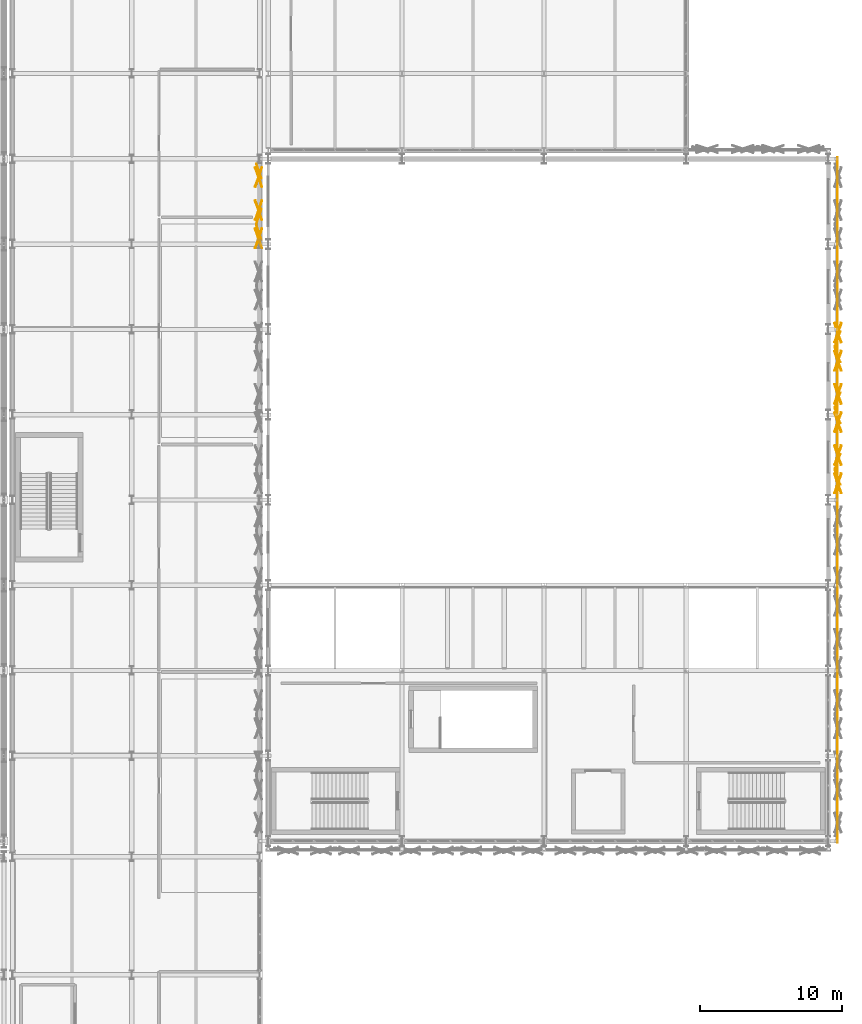
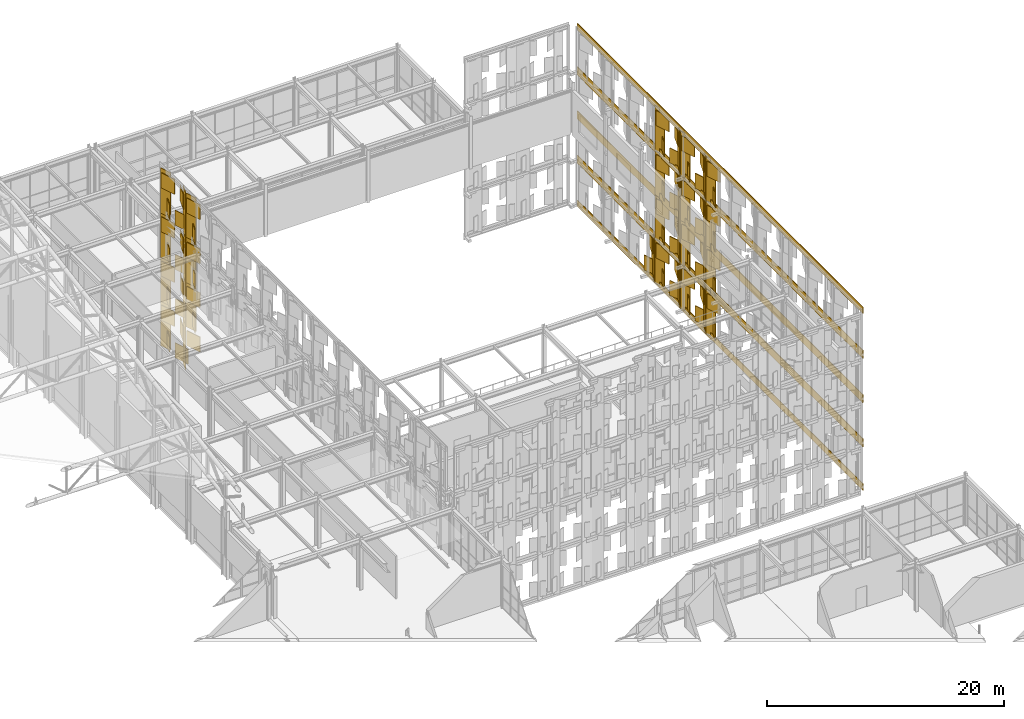
# One storey, part 237 of 239: 102 coverings.
"""IFC4 building model written with IfcOpenShell, lengths in metres."""

from ifc_helpers import new_model, si_unit, direction, frame, origin, origin_2d, place, context, subcontext, project, spatial, rectangle, extrude, material, layer, layer_set, type_object, element, save


model = new_model("IFC4")

# Units and contexts
model_context = context("Model", 3, precision=1e-05, world=origin(), true_north=direction((0.0, 1.0)))
body_context = subcontext(model_context, "Body", "Model", "MODEL_VIEW")
ifc_project = project(units=[si_unit("LENGTHUNIT", "METRE"), si_unit("AREAUNIT", "SQUARE_METRE"), si_unit("VOLUMEUNIT", "CUBIC_METRE"), si_unit("PLANEANGLEUNIT", "RADIAN"), si_unit("MASSUNIT", "GRAM", prefix="KILO")], contexts=[model_context])

# Site, building, storey
site_placement = place(None, origin())
site = spatial("IfcSite", under=ifc_project, at=site_placement, CompositionType="ELEMENT")
building_placement = place(site_placement, origin())
building = spatial("IfcBuilding", under=site, at=building_placement, Name="Kaldris Quays Convention Centre", CompositionType="ELEMENT")
storey_placement = place(building_placement, frame((0.0, 0.0, 11.39990234375)))
storey = spatial("IfcBuildingStorey", under=building, at=storey_placement, Name="L02", CompositionType="ELEMENT", Elevation=11.39990234375)

# Coverings
ifc_material = material(Name="Alabaster white star-pierced anodized aluminium panel", Category="aluminium")
ifc_layer = layer(ifc_material, 0.044921875)
ifc_layer_set = layer_set([ifc_layer], Name="Alabaster white star-pierced anodized aluminium panel")
covering_type = type_object("IfcCoveringType", Name="STAR PIERCED WHITE FOLDED SCREEN CL01", PredefinedType="CLADDING", material=ifc_layer_set)
covering_1_placement = place(storey_placement, frame((204.64990234375, 80.0, -7.8896484375), z_axis=(0.0, 0.0, 1.0), x_axis=(0.0, 1.0, 0.0)))
element("IfcCovering", 1, at=covering_1_placement, inside=storey, type_object=covering_type, Name="V2E White Screen Folded Band 1867", PredefinedType="CLADDING", context=body_context, shape_type="SweptSolid", body=[
    extrude(rectangle(XDim=48.239990234375, YDim=0.054931640625, at=origin_2d()), origin(), (0.0, 0.0, 1.0), 0.679931640625),
])
for number, where, z_axis, x_axis, name in (
    (2, (204.64990234375, 80.0, -3.419921875), (0.0, 0.0, 1.0), (0.0, 1.0, 0.0), "V2E White Screen Folded Band 1868"),
    (3, (204.64990234375, 80.0, 1.1298828125), (0.0, 0.0, 1.0), (0.0, 1.0, 0.0), "V2E White Screen Folded Band 1869"),
    (4, (204.64990234375, 80.0, 5.68017578125), (0.0, 0.0, 1.0), (0.0, 1.0, 0.0), "V2E White Screen Folded Band 1870"),
):
    element("IfcCovering", number, at=place(storey_placement, frame(where, z_axis=z_axis, x_axis=x_axis)), inside=storey, type_object=covering_type, Name=name, PredefinedType="CLADDING", context=body_context, shape_type="SweptSolid", body=[
        extrude(rectangle(XDim=48.239990234375, YDim=0.054931640625, at=origin_2d()), origin(), (0.0, 0.0, 1.0), 0.840087890625),
    ])
covering_2_placement = place(storey_placement, frame((204.64990234375, 80.0, 10.31005859375), z_axis=(0.0, 0.0, 1.0), x_axis=(0.0, 1.0, 0.0)))
element("IfcCovering", 5, at=covering_2_placement, inside=storey, type_object=covering_type, Name="V2E White Screen Folded Band 1871", PredefinedType="CLADDING", context=body_context, shape_type="SweptSolid", body=[
    extrude(rectangle(XDim=48.239990234375, YDim=0.054931640625, at=origin_2d()), origin(), (0.0, 0.0, 1.0), 0.679931640625),
])
covering_3_placement = place(storey_placement, frame((204.659912109375, 81.594482421875, -7.60986328125), z_axis=(0.0, 0.0, 1.0), x_axis=(-0.325568154457, 0.945518575599, 0.0)))
element("IfcCovering", 6, at=covering_3_placement, inside=storey, type_object=covering_type, Name="V2E Folded White Screen Stile 1993", PredefinedType="CLADDING", context=body_context, shape_type="SweptSolid", body=[
    extrude(rectangle(XDim=1.093994140625, YDim=0.054931640625, at=origin_2d()), origin(), (0.0, 0.0, 1.0), 4.669921875),
])
for number, where, z_axis, x_axis, name in (
    (7, (204.679931640625, 81.16357421875, -7.27685546875), (0.0, 0.0, 1.0), (0.325568154457, 0.945518575599, 0.0), "V2E Carved Star Corner Facet 1996"),
    (8, (204.679931640625, 81.16357421875, -4.81982421875), (0.0, 0.0, 1.0), (-0.325568154457, 0.945518575599, 0.0), "V2E Carved Star Corner Facet 1997"),
):
    element("IfcCovering", number, at=place(storey_placement, frame(where, z_axis=z_axis, x_axis=x_axis)), inside=storey, type_object=covering_type, Name=name, PredefinedType="CLADDING", context=body_context, shape_type="SweptSolid", body=[
        extrude(rectangle(XDim=1.465087890625, YDim=0.06494140625, at=origin_2d()), origin(), (0.0, 0.0, 1.0), 1.547119140625),
    ])
covering_4_placement = place(storey_placement, frame((204.659912109375, 81.594482421875, -3.059814453125), z_axis=(0.0, 0.0, 1.0), x_axis=(-0.325568154457, 0.945518575599, 0.0)))
element("IfcCovering", 9, at=covering_4_placement, inside=storey, type_object=covering_type, Name="V2E Folded White Screen Stile 1999", PredefinedType="CLADDING", context=body_context, shape_type="SweptSolid", body=[
    extrude(rectangle(XDim=1.093994140625, YDim=0.054931640625, at=origin_2d()), origin(), (0.0, 0.0, 1.0), 4.669921875),
])
for number, where, z_axis, x_axis, name in (
    (10, (204.679931640625, 81.16357421875, -2.72705078125), (0.0, 0.0, 1.0), (0.325568154457, 0.945518575599, 0.0), "V2E Carved Star Corner Facet 2002"),
    (11, (204.679931640625, 81.16357421875, -0.27001953125), (0.0, 0.0, 1.0), (-0.325568154457, 0.945518575599, 0.0), "V2E Carved Star Corner Facet 2003"),
):
    element("IfcCovering", number, at=place(storey_placement, frame(where, z_axis=z_axis, x_axis=x_axis)), inside=storey, type_object=covering_type, Name=name, PredefinedType="CLADDING", context=body_context, shape_type="SweptSolid", body=[
        extrude(rectangle(XDim=1.465087890625, YDim=0.06494140625, at=origin_2d()), origin(), (0.0, 0.0, 1.0), 1.547119140625),
    ])
covering_5_placement = place(storey_placement, frame((204.659912109375, 81.594482421875, 1.490234375), z_axis=(0.0, 0.0, 1.0), x_axis=(-0.325568154457, 0.945518575599, 0.0)))
element("IfcCovering", 12, at=covering_5_placement, inside=storey, type_object=covering_type, Name="V2E Folded White Screen Stile 2005", PredefinedType="CLADDING", context=body_context, shape_type="SweptSolid", body=[
    extrude(rectangle(XDim=1.093994140625, YDim=0.054931640625, at=origin_2d()), origin(), (0.0, 0.0, 1.0), 4.669921875),
])
for number, where, z_axis, x_axis, name in (
    (13, (204.679931640625, 81.16357421875, 1.8232421875), (0.0, 0.0, 1.0), (0.325568154457, 0.945518575599, 0.0), "V2E Carved Star Corner Facet 2008"),
    (14, (204.679931640625, 81.16357421875, 4.2802734375), (0.0, 0.0, 1.0), (-0.325568154457, 0.945518575599, 0.0), "V2E Carved Star Corner Facet 2009"),
):
    element("IfcCovering", number, at=place(storey_placement, frame(where, z_axis=z_axis, x_axis=x_axis)), inside=storey, type_object=covering_type, Name=name, PredefinedType="CLADDING", context=body_context, shape_type="SweptSolid", body=[
        extrude(rectangle(XDim=1.465087890625, YDim=0.06494140625, at=origin_2d()), origin(), (0.0, 0.0, 1.0), 1.547119140625),
    ])
covering_6_placement = place(storey_placement, frame((204.659912109375, 81.594482421875, 6.0400390625), z_axis=(0.0, 0.0, 1.0), x_axis=(-0.325568154457, 0.945518575599, 0.0)))
element("IfcCovering", 15, at=covering_6_placement, inside=storey, type_object=covering_type, Name="V2E Folded White Screen Stile 2011", PredefinedType="CLADDING", context=body_context, shape_type="SweptSolid", body=[
    extrude(rectangle(XDim=1.093994140625, YDim=0.054931640625, at=origin_2d()), origin(), (0.0, 0.0, 1.0), 4.669921875),
])
for number, where, z_axis, x_axis, name in (
    (16, (204.679931640625, 81.16357421875, 6.373046875), (0.0, 0.0, 1.0), (0.325568154457, 0.945518575599, 0.0), "V2E Carved Star Corner Facet 2014"),
    (17, (204.679931640625, 81.16357421875, 8.830078125), (0.0, 0.0, 1.0), (-0.325568154457, 0.945518575599, 0.0), "V2E Carved Star Corner Facet 2015"),
):
    element("IfcCovering", number, at=place(storey_placement, frame(where, z_axis=z_axis, x_axis=x_axis)), inside=storey, type_object=covering_type, Name=name, PredefinedType="CLADDING", context=body_context, shape_type="SweptSolid", body=[
        extrude(rectangle(XDim=1.465087890625, YDim=0.06494140625, at=origin_2d()), origin(), (0.0, 0.0, 1.0), 1.547119140625),
    ])
for number, where, z_axis, x_axis, name in (
    (18, (204.659912109375, 82.714599609375, -7.60986328125), (0.0, 0.0, 1.0), (0.325568154457, 0.945518575599, 0.0), "V2E Folded White Screen Stile 2016"),
    (19, (204.659912109375, 85.903564453125, -7.60986328125), (0.0, 0.0, 1.0), (-0.325568154457, 0.945518575599, 0.0), "V2E Folded White Screen Stile 2017"),
):
    element("IfcCovering", number, at=place(storey_placement, frame(where, z_axis=z_axis, x_axis=x_axis)), inside=storey, type_object=covering_type, Name=name, PredefinedType="CLADDING", context=body_context, shape_type="SweptSolid", body=[
        extrude(rectangle(XDim=1.093994140625, YDim=0.054931640625, at=origin_2d()), origin(), (0.0, 0.0, 1.0), 4.669921875),
    ])
for number, where, z_axis, x_axis, name in (
    (20, (204.679931640625, 83.1455078125, -7.27685546875), (0.0, 0.0, 1.0), (-0.325568154457, 0.945518575599, 0.0), "V2E Carved Star Corner Facet 2018"),
    (21, (204.679931640625, 83.1455078125, -4.81982421875), (0.0, 0.0, 1.0), (0.325568154457, 0.945518575599, 0.0), "V2E Carved Star Corner Facet 2019"),
    (22, (204.679931640625, 85.472412109375, -7.27685546875), (0.0, 0.0, 1.0), (0.325568154457, 0.945518575599, 0.0), "V2E Carved Star Corner Facet 2020"),
    (23, (204.679931640625, 85.472412109375, -4.81982421875), (0.0, 0.0, 1.0), (-0.325568154457, 0.945518575599, 0.0), "V2E Carved Star Corner Facet 2021"),
):
    element("IfcCovering", number, at=place(storey_placement, frame(where, z_axis=z_axis, x_axis=x_axis)), inside=storey, type_object=covering_type, Name=name, PredefinedType="CLADDING", context=body_context, shape_type="SweptSolid", body=[
        extrude(rectangle(XDim=1.465087890625, YDim=0.06494140625, at=origin_2d()), origin(), (0.0, 0.0, 1.0), 1.547119140625),
    ])
for number, where, z_axis, x_axis, name in (
    (24, (204.659912109375, 82.714599609375, -3.059814453125), (0.0, 0.0, 1.0), (0.325568154457, 0.945518575599, 0.0), "V2E Folded White Screen Stile 2022"),
    (25, (204.659912109375, 85.903564453125, -3.059814453125), (0.0, 0.0, 1.0), (-0.325568154457, 0.945518575599, 0.0), "V2E Folded White Screen Stile 2023"),
):
    element("IfcCovering", number, at=place(storey_placement, frame(where, z_axis=z_axis, x_axis=x_axis)), inside=storey, type_object=covering_type, Name=name, PredefinedType="CLADDING", context=body_context, shape_type="SweptSolid", body=[
        extrude(rectangle(XDim=1.093994140625, YDim=0.054931640625, at=origin_2d()), origin(), (0.0, 0.0, 1.0), 4.669921875),
    ])
for number, where, z_axis, x_axis, name in (
    (26, (204.679931640625, 83.1455078125, -2.72705078125), (0.0, 0.0, 1.0), (-0.325568154457, 0.945518575599, 0.0), "V2E Carved Star Corner Facet 2024"),
    (27, (204.679931640625, 83.1455078125, -0.27001953125), (0.0, 0.0, 1.0), (0.325568154457, 0.945518575599, 0.0), "V2E Carved Star Corner Facet 2025"),
    (28, (204.679931640625, 85.472412109375, -2.72705078125), (0.0, 0.0, 1.0), (0.325568154457, 0.945518575599, 0.0), "V2E Carved Star Corner Facet 2026"),
    (29, (204.679931640625, 85.472412109375, -0.27001953125), (0.0, 0.0, 1.0), (-0.325568154457, 0.945518575599, 0.0), "V2E Carved Star Corner Facet 2027"),
):
    element("IfcCovering", number, at=place(storey_placement, frame(where, z_axis=z_axis, x_axis=x_axis)), inside=storey, type_object=covering_type, Name=name, PredefinedType="CLADDING", context=body_context, shape_type="SweptSolid", body=[
        extrude(rectangle(XDim=1.465087890625, YDim=0.06494140625, at=origin_2d()), origin(), (0.0, 0.0, 1.0), 1.547119140625),
    ])
for number, where, z_axis, x_axis, name in (
    (30, (204.659912109375, 82.714599609375, 1.490234375), (0.0, 0.0, 1.0), (0.325568154457, 0.945518575599, 0.0), "V2E Folded White Screen Stile 2028"),
    (31, (204.659912109375, 85.903564453125, 1.490234375), (0.0, 0.0, 1.0), (-0.325568154457, 0.945518575599, 0.0), "V2E Folded White Screen Stile 2029"),
):
    element("IfcCovering", number, at=place(storey_placement, frame(where, z_axis=z_axis, x_axis=x_axis)), inside=storey, type_object=covering_type, Name=name, PredefinedType="CLADDING", context=body_context, shape_type="SweptSolid", body=[
        extrude(rectangle(XDim=1.093994140625, YDim=0.054931640625, at=origin_2d()), origin(), (0.0, 0.0, 1.0), 4.669921875),
    ])
for number, where, z_axis, x_axis, name in (
    (32, (204.679931640625, 83.1455078125, 1.8232421875), (0.0, 0.0, 1.0), (-0.325568154457, 0.945518575599, 0.0), "V2E Carved Star Corner Facet 2030"),
    (33, (204.679931640625, 83.1455078125, 4.2802734375), (0.0, 0.0, 1.0), (0.325568154457, 0.945518575599, 0.0), "V2E Carved Star Corner Facet 2031"),
    (34, (204.679931640625, 85.472412109375, 1.8232421875), (0.0, 0.0, 1.0), (0.325568154457, 0.945518575599, 0.0), "V2E Carved Star Corner Facet 2032"),
    (35, (204.679931640625, 85.472412109375, 4.2802734375), (0.0, 0.0, 1.0), (-0.325568154457, 0.945518575599, 0.0), "V2E Carved Star Corner Facet 2033"),
):
    element("IfcCovering", number, at=place(storey_placement, frame(where, z_axis=z_axis, x_axis=x_axis)), inside=storey, type_object=covering_type, Name=name, PredefinedType="CLADDING", context=body_context, shape_type="SweptSolid", body=[
        extrude(rectangle(XDim=1.465087890625, YDim=0.06494140625, at=origin_2d()), origin(), (0.0, 0.0, 1.0), 1.547119140625),
    ])
for number, where, z_axis, x_axis, name in (
    (36, (204.659912109375, 82.714599609375, 6.0400390625), (0.0, 0.0, 1.0), (0.325568154457, 0.945518575599, 0.0), "V2E Folded White Screen Stile 2034"),
    (37, (204.659912109375, 85.903564453125, 6.0400390625), (0.0, 0.0, 1.0), (-0.325568154457, 0.945518575599, 0.0), "V2E Folded White Screen Stile 2035"),
):
    element("IfcCovering", number, at=place(storey_placement, frame(where, z_axis=z_axis, x_axis=x_axis)), inside=storey, type_object=covering_type, Name=name, PredefinedType="CLADDING", context=body_context, shape_type="SweptSolid", body=[
        extrude(rectangle(XDim=1.093994140625, YDim=0.054931640625, at=origin_2d()), origin(), (0.0, 0.0, 1.0), 4.669921875),
    ])
for number, where, z_axis, x_axis, name in (
    (38, (204.679931640625, 83.1455078125, 6.373046875), (0.0, 0.0, 1.0), (-0.325568154457, 0.945518575599, 0.0), "V2E Carved Star Corner Facet 2036"),
    (39, (204.679931640625, 83.1455078125, 8.830078125), (0.0, 0.0, 1.0), (0.325568154457, 0.945518575599, 0.0), "V2E Carved Star Corner Facet 2037"),
    (40, (204.679931640625, 85.472412109375, 6.373046875), (0.0, 0.0, 1.0), (0.325568154457, 0.945518575599, 0.0), "V2E Carved Star Corner Facet 2038"),
    (41, (204.679931640625, 85.472412109375, 8.830078125), (0.0, 0.0, 1.0), (-0.325568154457, 0.945518575599, 0.0), "V2E Carved Star Corner Facet 2039"),
):
    element("IfcCovering", number, at=place(storey_placement, frame(where, z_axis=z_axis, x_axis=x_axis)), inside=storey, type_object=covering_type, Name=name, PredefinedType="CLADDING", context=body_context, shape_type="SweptSolid", body=[
        extrude(rectangle(XDim=1.465087890625, YDim=0.06494140625, at=origin_2d()), origin(), (0.0, 0.0, 1.0), 1.547119140625),
    ])
for number, where, z_axis, x_axis, name in (
    (42, (204.659912109375, 87.023681640625, -7.60986328125), (0.0, 0.0, 1.0), (0.325568154457, 0.945518575599, 0.0), "V2E Folded White Screen Stile 2040"),
    (43, (204.659912109375, 90.21240234375, -7.60986328125), (0.0, 0.0, 1.0), (-0.325568154457, 0.945518575599, 0.0), "V2E Folded White Screen Stile 2041"),
):
    element("IfcCovering", number, at=place(storey_placement, frame(where, z_axis=z_axis, x_axis=x_axis)), inside=storey, type_object=covering_type, Name=name, PredefinedType="CLADDING", context=body_context, shape_type="SweptSolid", body=[
        extrude(rectangle(XDim=1.093994140625, YDim=0.054931640625, at=origin_2d()), origin(), (0.0, 0.0, 1.0), 4.669921875),
    ])
for number, where, z_axis, x_axis, name in (
    (44, (204.679931640625, 87.45458984375, -7.27685546875), (0.0, 0.0, 1.0), (-0.325568154457, 0.945518575599, 0.0), "V2E Carved Star Corner Facet 2042"),
    (45, (204.679931640625, 87.45458984375, -4.81982421875), (0.0, 0.0, 1.0), (0.325568154457, 0.945518575599, 0.0), "V2E Carved Star Corner Facet 2043"),
    (46, (204.679931640625, 89.781494140625, -7.27685546875), (0.0, 0.0, 1.0), (0.325568154457, 0.945518575599, 0.0), "V2E Carved Star Corner Facet 2044"),
    (47, (204.679931640625, 89.781494140625, -4.81982421875), (0.0, 0.0, 1.0), (-0.325568154457, 0.945518575599, 0.0), "V2E Carved Star Corner Facet 2045"),
):
    element("IfcCovering", number, at=place(storey_placement, frame(where, z_axis=z_axis, x_axis=x_axis)), inside=storey, type_object=covering_type, Name=name, PredefinedType="CLADDING", context=body_context, shape_type="SweptSolid", body=[
        extrude(rectangle(XDim=1.465087890625, YDim=0.06494140625, at=origin_2d()), origin(), (0.0, 0.0, 1.0), 1.547119140625),
    ])
for number, where, z_axis, x_axis, name in (
    (48, (204.659912109375, 87.023681640625, -3.059814453125), (0.0, 0.0, 1.0), (0.325568154457, 0.945518575599, 0.0), "V2E Folded White Screen Stile 2046"),
    (49, (204.659912109375, 90.21240234375, -3.059814453125), (0.0, 0.0, 1.0), (-0.325568154457, 0.945518575599, 0.0), "V2E Folded White Screen Stile 2047"),
):
    element("IfcCovering", number, at=place(storey_placement, frame(where, z_axis=z_axis, x_axis=x_axis)), inside=storey, type_object=covering_type, Name=name, PredefinedType="CLADDING", context=body_context, shape_type="SweptSolid", body=[
        extrude(rectangle(XDim=1.093994140625, YDim=0.054931640625, at=origin_2d()), origin(), (0.0, 0.0, 1.0), 4.669921875),
    ])
for number, where, z_axis, x_axis, name in (
    (50, (204.679931640625, 87.45458984375, -2.72705078125), (0.0, 0.0, 1.0), (-0.325568154457, 0.945518575599, 0.0), "V2E Carved Star Corner Facet 2048"),
    (51, (204.679931640625, 87.45458984375, -0.27001953125), (0.0, 0.0, 1.0), (0.325568154457, 0.945518575599, 0.0), "V2E Carved Star Corner Facet 2049"),
    (52, (204.679931640625, 89.781494140625, -2.72705078125), (0.0, 0.0, 1.0), (0.325568154457, 0.945518575599, 0.0), "V2E Carved Star Corner Facet 2050"),
    (53, (204.679931640625, 89.781494140625, -0.27001953125), (0.0, 0.0, 1.0), (-0.325568154457, 0.945518575599, 0.0), "V2E Carved Star Corner Facet 2051"),
):
    element("IfcCovering", number, at=place(storey_placement, frame(where, z_axis=z_axis, x_axis=x_axis)), inside=storey, type_object=covering_type, Name=name, PredefinedType="CLADDING", context=body_context, shape_type="SweptSolid", body=[
        extrude(rectangle(XDim=1.465087890625, YDim=0.06494140625, at=origin_2d()), origin(), (0.0, 0.0, 1.0), 1.547119140625),
    ])
for number, where, z_axis, x_axis, name in (
    (54, (204.659912109375, 87.023681640625, 1.490234375), (0.0, 0.0, 1.0), (0.325568154457, 0.945518575599, 0.0), "V2E Folded White Screen Stile 2052"),
    (55, (204.659912109375, 90.21240234375, 1.490234375), (0.0, 0.0, 1.0), (-0.325568154457, 0.945518575599, 0.0), "V2E Folded White Screen Stile 2053"),
):
    element("IfcCovering", number, at=place(storey_placement, frame(where, z_axis=z_axis, x_axis=x_axis)), inside=storey, type_object=covering_type, Name=name, PredefinedType="CLADDING", context=body_context, shape_type="SweptSolid", body=[
        extrude(rectangle(XDim=1.093994140625, YDim=0.054931640625, at=origin_2d()), origin(), (0.0, 0.0, 1.0), 4.669921875),
    ])
for number, where, z_axis, x_axis, name in (
    (56, (204.679931640625, 87.45458984375, 1.8232421875), (0.0, 0.0, 1.0), (-0.325568154457, 0.945518575599, 0.0), "V2E Carved Star Corner Facet 2054"),
    (57, (204.679931640625, 87.45458984375, 4.2802734375), (0.0, 0.0, 1.0), (0.325568154457, 0.945518575599, 0.0), "V2E Carved Star Corner Facet 2055"),
    (58, (204.679931640625, 89.781494140625, 1.8232421875), (0.0, 0.0, 1.0), (0.325568154457, 0.945518575599, 0.0), "V2E Carved Star Corner Facet 2056"),
    (59, (204.679931640625, 89.781494140625, 4.2802734375), (0.0, 0.0, 1.0), (-0.325568154457, 0.945518575599, 0.0), "V2E Carved Star Corner Facet 2057"),
):
    element("IfcCovering", number, at=place(storey_placement, frame(where, z_axis=z_axis, x_axis=x_axis)), inside=storey, type_object=covering_type, Name=name, PredefinedType="CLADDING", context=body_context, shape_type="SweptSolid", body=[
        extrude(rectangle(XDim=1.465087890625, YDim=0.06494140625, at=origin_2d()), origin(), (0.0, 0.0, 1.0), 1.547119140625),
    ])
for number, where, z_axis, x_axis, name in (
    (60, (204.659912109375, 87.023681640625, 6.0400390625), (0.0, 0.0, 1.0), (0.325568154457, 0.945518575599, 0.0), "V2E Folded White Screen Stile 2058"),
    (61, (204.659912109375, 90.21240234375, 6.0400390625), (0.0, 0.0, 1.0), (-0.325568154457, 0.945518575599, 0.0), "V2E Folded White Screen Stile 2059"),
):
    element("IfcCovering", number, at=place(storey_placement, frame(where, z_axis=z_axis, x_axis=x_axis)), inside=storey, type_object=covering_type, Name=name, PredefinedType="CLADDING", context=body_context, shape_type="SweptSolid", body=[
        extrude(rectangle(XDim=1.093994140625, YDim=0.054931640625, at=origin_2d()), origin(), (0.0, 0.0, 1.0), 4.669921875),
    ])
for number, where, z_axis, x_axis, name in (
    (62, (204.679931640625, 87.45458984375, 6.373046875), (0.0, 0.0, 1.0), (-0.325568154457, 0.945518575599, 0.0), "V2E Carved Star Corner Facet 2060"),
    (63, (204.679931640625, 87.45458984375, 8.830078125), (0.0, 0.0, 1.0), (0.325568154457, 0.945518575599, 0.0), "V2E Carved Star Corner Facet 2061"),
    (64, (204.679931640625, 89.781494140625, 6.373046875), (0.0, 0.0, 1.0), (0.325568154457, 0.945518575599, 0.0), "V2E Carved Star Corner Facet 2062"),
    (65, (204.679931640625, 89.781494140625, 8.830078125), (0.0, 0.0, 1.0), (-0.325568154457, 0.945518575599, 0.0), "V2E Carved Star Corner Facet 2063"),
):
    element("IfcCovering", number, at=place(storey_placement, frame(where, z_axis=z_axis, x_axis=x_axis)), inside=storey, type_object=covering_type, Name=name, PredefinedType="CLADDING", context=body_context, shape_type="SweptSolid", body=[
        extrude(rectangle(XDim=1.465087890625, YDim=0.06494140625, at=origin_2d()), origin(), (0.0, 0.0, 1.0), 1.547119140625),
    ])
covering_7_placement = place(storey_placement, frame((204.659912109375, 91.3330078125, -7.60986328125), z_axis=(0.0, 0.0, 1.0), x_axis=(0.325568154457, 0.945518575599, 0.0)))
element("IfcCovering", 66, at=covering_7_placement, inside=storey, type_object=covering_type, Name="V2E Folded White Screen Stile 2064", PredefinedType="CLADDING", context=body_context, shape_type="SweptSolid", body=[
    extrude(rectangle(XDim=1.093994140625, YDim=0.054931640625, at=origin_2d()), origin(), (0.0, 0.0, 1.0), 4.669921875),
])
for number, where, z_axis, x_axis, name in (
    (67, (204.679931640625, 91.763916015625, -7.27685546875), (0.0, 0.0, 1.0), (-0.325568154457, 0.945518575599, 0.0), "V2E Carved Star Corner Facet 2066"),
    (68, (204.679931640625, 91.763916015625, -4.81982421875), (0.0, 0.0, 1.0), (0.325568154457, 0.945518575599, 0.0), "V2E Carved Star Corner Facet 2067"),
    (69, (163.919921875, 98.39990234375, -4.81982421875), (0.0, 0.0, 1.0), (-0.325568154457, 0.945518575599, 0.0), "V2W Carved Star Corner Facet 2362"),
):
    element("IfcCovering", number, at=place(storey_placement, frame(where, z_axis=z_axis, x_axis=x_axis)), inside=storey, type_object=covering_type, Name=name, PredefinedType="CLADDING", context=body_context, shape_type="SweptSolid", body=[
        extrude(rectangle(XDim=1.465087890625, YDim=0.06494140625, at=origin_2d()), origin(), (0.0, 0.0, 1.0), 1.547119140625),
    ])
covering_8_placement = place(storey_placement, frame((163.93994140625, 98.830810546875, -3.059814453125), z_axis=(0.0, 0.0, 1.0), x_axis=(-0.325568154457, 0.945518575599, 0.0)))
element("IfcCovering", 70, at=covering_8_placement, inside=storey, type_object=covering_type, Name="V2W Folded White Screen Stile 2364", PredefinedType="CLADDING", context=body_context, shape_type="SweptSolid", body=[
    extrude(rectangle(XDim=1.093994140625, YDim=0.054931640625, at=origin_2d()), origin(), (0.0, 0.0, 1.0), 4.669921875),
])
for number, where, z_axis, x_axis, name in (
    (71, (163.919921875, 98.39990234375, -2.72705078125), (0.0, 0.0, 1.0), (0.325568154457, 0.945518575599, 0.0), "V2W Carved Star Corner Facet 2367"),
    (72, (163.919921875, 98.39990234375, -0.27001953125), (0.0, 0.0, 1.0), (-0.325568154457, 0.945518575599, 0.0), "V2W Carved Star Corner Facet 2368"),
):
    element("IfcCovering", number, at=place(storey_placement, frame(where, z_axis=z_axis, x_axis=x_axis)), inside=storey, type_object=covering_type, Name=name, PredefinedType="CLADDING", context=body_context, shape_type="SweptSolid", body=[
        extrude(rectangle(XDim=1.465087890625, YDim=0.06494140625, at=origin_2d()), origin(), (0.0, 0.0, 1.0), 1.547119140625),
    ])
covering_9_placement = place(storey_placement, frame((163.93994140625, 98.830810546875, 1.490234375), z_axis=(0.0, 0.0, 1.0), x_axis=(-0.325568154457, 0.945518575599, 0.0)))
element("IfcCovering", 73, at=covering_9_placement, inside=storey, type_object=covering_type, Name="V2W Folded White Screen Stile 2370", PredefinedType="CLADDING", context=body_context, shape_type="SweptSolid", body=[
    extrude(rectangle(XDim=1.093994140625, YDim=0.054931640625, at=origin_2d()), origin(), (0.0, 0.0, 1.0), 4.669921875),
])
for number, where, z_axis, x_axis, name in (
    (74, (163.919921875, 98.39990234375, 1.8232421875), (0.0, 0.0, 1.0), (0.325568154457, 0.945518575599, 0.0), "V2W Carved Star Corner Facet 2373"),
    (75, (163.919921875, 98.39990234375, 4.2802734375), (0.0, 0.0, 1.0), (-0.325568154457, 0.945518575599, 0.0), "V2W Carved Star Corner Facet 2374"),
):
    element("IfcCovering", number, at=place(storey_placement, frame(where, z_axis=z_axis, x_axis=x_axis)), inside=storey, type_object=covering_type, Name=name, PredefinedType="CLADDING", context=body_context, shape_type="SweptSolid", body=[
        extrude(rectangle(XDim=1.465087890625, YDim=0.06494140625, at=origin_2d()), origin(), (0.0, 0.0, 1.0), 1.547119140625),
    ])
covering_10_placement = place(storey_placement, frame((163.93994140625, 98.830810546875, 6.0400390625), z_axis=(0.0, 0.0, 1.0), x_axis=(-0.325568154457, 0.945518575599, 0.0)))
element("IfcCovering", 76, at=covering_10_placement, inside=storey, type_object=covering_type, Name="V2W Folded White Screen Stile 2376", PredefinedType="CLADDING", context=body_context, shape_type="SweptSolid", body=[
    extrude(rectangle(XDim=1.093994140625, YDim=0.054931640625, at=origin_2d()), origin(), (0.0, 0.0, 1.0), 4.669921875),
])
for number, where, z_axis, x_axis, name in (
    (77, (163.919921875, 98.39990234375, 6.373046875), (0.0, 0.0, 1.0), (0.325568154457, 0.945518575599, 0.0), "V2W Carved Star Corner Facet 2379"),
    (78, (163.919921875, 98.39990234375, 8.830078125), (0.0, 0.0, 1.0), (-0.325568154457, 0.945518575599, 0.0), "V2W Carved Star Corner Facet 2380"),
):
    element("IfcCovering", number, at=place(storey_placement, frame(where, z_axis=z_axis, x_axis=x_axis)), inside=storey, type_object=covering_type, Name=name, PredefinedType="CLADDING", context=body_context, shape_type="SweptSolid", body=[
        extrude(rectangle(XDim=1.465087890625, YDim=0.06494140625, at=origin_2d()), origin(), (0.0, 0.0, 1.0), 1.547119140625),
    ])
for number, where, z_axis, x_axis, name in (
    (79, (163.93994140625, 99.951171875, -7.60986328125), (0.0, 0.0, 1.0), (0.325568154457, 0.945518575599, 0.0), "V2W Folded White Screen Stile 2381"),
    (80, (163.93994140625, 103.139892578125, -7.60986328125), (0.0, 0.0, 1.0), (-0.325568154457, 0.945518575599, 0.0), "V2W Folded White Screen Stile 2382"),
):
    element("IfcCovering", number, at=place(storey_placement, frame(where, z_axis=z_axis, x_axis=x_axis)), inside=storey, type_object=covering_type, Name=name, PredefinedType="CLADDING", context=body_context, shape_type="SweptSolid", body=[
        extrude(rectangle(XDim=1.093994140625, YDim=0.054931640625, at=origin_2d()), origin(), (0.0, 0.0, 1.0), 4.669921875),
    ])
for number, where, z_axis, x_axis, name in (
    (81, (163.919921875, 100.382080078125, -7.27685546875), (0.0, 0.0, 1.0), (-0.325568154457, 0.945518575599, 0.0), "V2W Carved Star Corner Facet 2383"),
    (82, (163.919921875, 100.382080078125, -4.81982421875), (0.0, 0.0, 1.0), (0.325568154457, 0.945518575599, 0.0), "V2W Carved Star Corner Facet 2384"),
    (83, (163.919921875, 102.708984375, -7.27685546875), (0.0, 0.0, 1.0), (0.325568154457, 0.945518575599, 0.0), "V2W Carved Star Corner Facet 2385"),
    (84, (163.919921875, 102.708984375, -4.81982421875), (0.0, 0.0, 1.0), (-0.325568154457, 0.945518575599, 0.0), "V2W Carved Star Corner Facet 2386"),
):
    element("IfcCovering", number, at=place(storey_placement, frame(where, z_axis=z_axis, x_axis=x_axis)), inside=storey, type_object=covering_type, Name=name, PredefinedType="CLADDING", context=body_context, shape_type="SweptSolid", body=[
        extrude(rectangle(XDim=1.465087890625, YDim=0.06494140625, at=origin_2d()), origin(), (0.0, 0.0, 1.0), 1.547119140625),
    ])
for number, where, z_axis, x_axis, name in (
    (85, (163.93994140625, 99.951171875, -3.059814453125), (0.0, 0.0, 1.0), (0.325568154457, 0.945518575599, 0.0), "V2W Folded White Screen Stile 2387"),
    (86, (163.93994140625, 103.139892578125, -3.059814453125), (0.0, 0.0, 1.0), (-0.325568154457, 0.945518575599, 0.0), "V2W Folded White Screen Stile 2388"),
):
    element("IfcCovering", number, at=place(storey_placement, frame(where, z_axis=z_axis, x_axis=x_axis)), inside=storey, type_object=covering_type, Name=name, PredefinedType="CLADDING", context=body_context, shape_type="SweptSolid", body=[
        extrude(rectangle(XDim=1.093994140625, YDim=0.054931640625, at=origin_2d()), origin(), (0.0, 0.0, 1.0), 4.669921875),
    ])
for number, where, z_axis, x_axis, name in (
    (87, (163.919921875, 100.382080078125, -2.72705078125), (0.0, 0.0, 1.0), (-0.325568154457, 0.945518575599, 0.0), "V2W Carved Star Corner Facet 2389"),
    (88, (163.919921875, 100.382080078125, -0.27001953125), (0.0, 0.0, 1.0), (0.325568154457, 0.945518575599, 0.0), "V2W Carved Star Corner Facet 2390"),
    (89, (163.919921875, 102.708984375, -2.72705078125), (0.0, 0.0, 1.0), (0.325568154457, 0.945518575599, 0.0), "V2W Carved Star Corner Facet 2391"),
    (90, (163.919921875, 102.708984375, -0.27001953125), (0.0, 0.0, 1.0), (-0.325568154457, 0.945518575599, 0.0), "V2W Carved Star Corner Facet 2392"),
):
    element("IfcCovering", number, at=place(storey_placement, frame(where, z_axis=z_axis, x_axis=x_axis)), inside=storey, type_object=covering_type, Name=name, PredefinedType="CLADDING", context=body_context, shape_type="SweptSolid", body=[
        extrude(rectangle(XDim=1.465087890625, YDim=0.06494140625, at=origin_2d()), origin(), (0.0, 0.0, 1.0), 1.547119140625),
    ])
for number, where, z_axis, x_axis, name in (
    (91, (163.93994140625, 99.951171875, 1.490234375), (0.0, 0.0, 1.0), (0.325568154457, 0.945518575599, 0.0), "V2W Folded White Screen Stile 2393"),
    (92, (163.93994140625, 103.139892578125, 1.490234375), (0.0, 0.0, 1.0), (-0.325568154457, 0.945518575599, 0.0), "V2W Folded White Screen Stile 2394"),
):
    element("IfcCovering", number, at=place(storey_placement, frame(where, z_axis=z_axis, x_axis=x_axis)), inside=storey, type_object=covering_type, Name=name, PredefinedType="CLADDING", context=body_context, shape_type="SweptSolid", body=[
        extrude(rectangle(XDim=1.093994140625, YDim=0.054931640625, at=origin_2d()), origin(), (0.0, 0.0, 1.0), 4.669921875),
    ])
for number, where, z_axis, x_axis, name in (
    (93, (163.919921875, 100.382080078125, 1.8232421875), (0.0, 0.0, 1.0), (-0.325568154457, 0.945518575599, 0.0), "V2W Carved Star Corner Facet 2395"),
    (94, (163.919921875, 100.382080078125, 4.2802734375), (0.0, 0.0, 1.0), (0.325568154457, 0.945518575599, 0.0), "V2W Carved Star Corner Facet 2396"),
    (95, (163.919921875, 102.708984375, 1.8232421875), (0.0, 0.0, 1.0), (0.325568154457, 0.945518575599, 0.0), "V2W Carved Star Corner Facet 2397"),
    (96, (163.919921875, 102.708984375, 4.2802734375), (0.0, 0.0, 1.0), (-0.325568154457, 0.945518575599, 0.0), "V2W Carved Star Corner Facet 2398"),
):
    element("IfcCovering", number, at=place(storey_placement, frame(where, z_axis=z_axis, x_axis=x_axis)), inside=storey, type_object=covering_type, Name=name, PredefinedType="CLADDING", context=body_context, shape_type="SweptSolid", body=[
        extrude(rectangle(XDim=1.465087890625, YDim=0.06494140625, at=origin_2d()), origin(), (0.0, 0.0, 1.0), 1.547119140625),
    ])
for number, where, z_axis, x_axis, name in (
    (97, (163.93994140625, 99.951171875, 6.0400390625), (0.0, 0.0, 1.0), (0.325568154457, 0.945518575599, 0.0), "V2W Folded White Screen Stile 2399"),
    (98, (163.93994140625, 103.139892578125, 6.0400390625), (0.0, 0.0, 1.0), (-0.325568154457, 0.945518575599, 0.0), "V2W Folded White Screen Stile 2400"),
):
    element("IfcCovering", number, at=place(storey_placement, frame(where, z_axis=z_axis, x_axis=x_axis)), inside=storey, type_object=covering_type, Name=name, PredefinedType="CLADDING", context=body_context, shape_type="SweptSolid", body=[
        extrude(rectangle(XDim=1.093994140625, YDim=0.054931640625, at=origin_2d()), origin(), (0.0, 0.0, 1.0), 4.669921875),
    ])
for number, where, z_axis, x_axis, name in (
    (99, (163.919921875, 100.382080078125, 6.373046875), (0.0, 0.0, 1.0), (-0.325568154457, 0.945518575599, 0.0), "V2W Carved Star Corner Facet 2401"),
    (100, (163.919921875, 100.382080078125, 8.830078125), (0.0, 0.0, 1.0), (0.325568154457, 0.945518575599, 0.0), "V2W Carved Star Corner Facet 2402"),
    (101, (163.919921875, 102.708984375, 6.373046875), (0.0, 0.0, 1.0), (0.325568154457, 0.945518575599, 0.0), "V2W Carved Star Corner Facet 2403"),
    (102, (163.919921875, 102.708984375, 8.830078125), (0.0, 0.0, 1.0), (-0.325568154457, 0.945518575599, 0.0), "V2W Carved Star Corner Facet 2404"),
):
    element("IfcCovering", number, at=place(storey_placement, frame(where, z_axis=z_axis, x_axis=x_axis)), inside=storey, type_object=covering_type, Name=name, PredefinedType="CLADDING", context=body_context, shape_type="SweptSolid", body=[
        extrude(rectangle(XDim=1.465087890625, YDim=0.06494140625, at=origin_2d()), origin(), (0.0, 0.0, 1.0), 1.547119140625),
    ])

save(model, "model.ifc")
